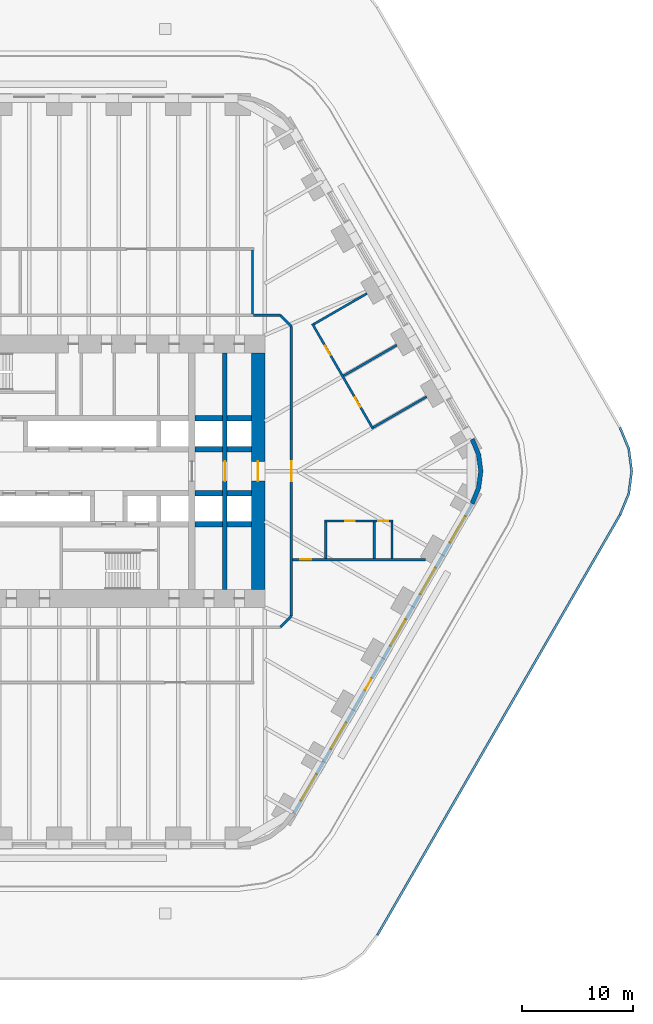
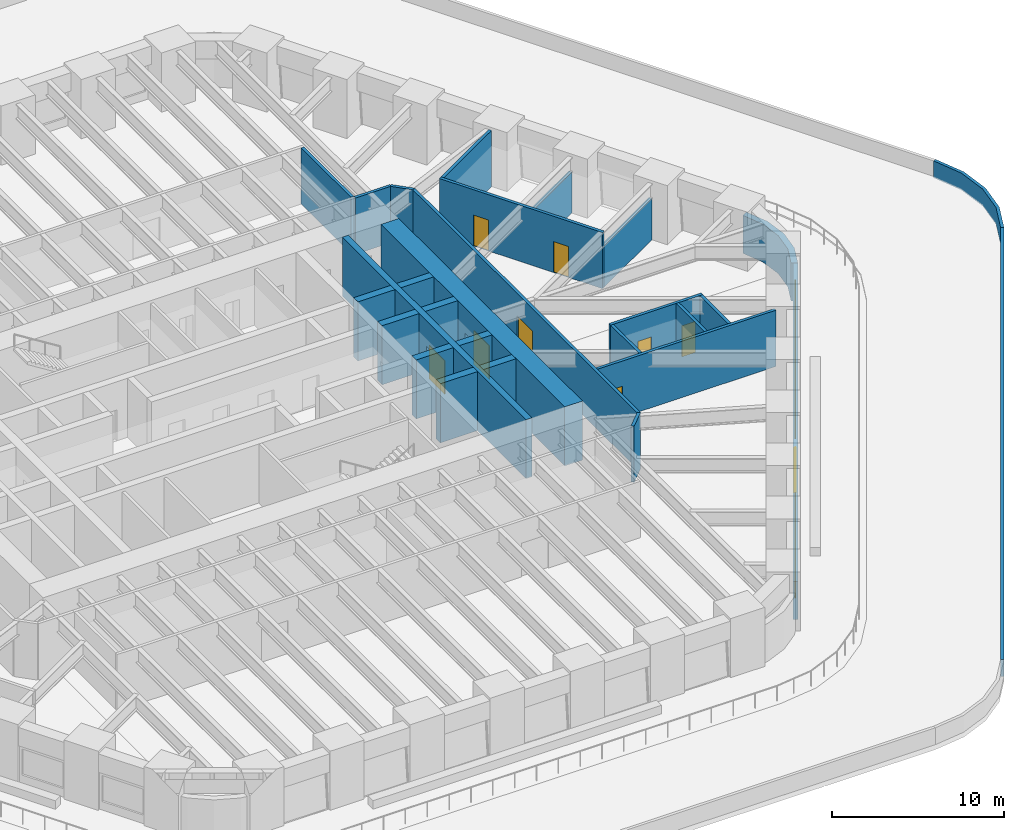
# One storey, part 12 of 17: 28 walls, 9 doors, 5 windows, 14 openings.
"""IFC4 building model written with IfcOpenShell, lengths in metres."""

from ifc_helpers import new_model, si_unit, direction, frame, frame_2d, origin, place, context, subcontext, project, spatial, polyline, rectangle, outline, extrude, material, layer, layer_set, type_object, element, fill, save


model = new_model("IFC4")

# Units and contexts
model_context = context("Model", 3, precision=1e-05, world=origin(), true_north=direction((0.0, 1.0)))
body_context = subcontext(model_context, "Body", "Model", "MODEL_VIEW")
ifc_project = project(units=[si_unit("LENGTHUNIT", "METRE"), si_unit("AREAUNIT", "SQUARE_METRE"), si_unit("VOLUMEUNIT", "CUBIC_METRE"), si_unit("PLANEANGLEUNIT", "RADIAN"), si_unit("MASSUNIT", "GRAM", prefix="KILO")], contexts=[model_context])

# Site, building, storey
site_placement = place(None, origin())
site = spatial("IfcSite", under=ifc_project, at=site_placement, CompositionType="ELEMENT")
building_placement = place(site_placement, origin())
building = spatial("IfcBuilding", under=site, at=building_placement, Name="Tarfa Lantern Tower", CompositionType="ELEMENT")
storey_placement = place(building_placement, frame((0.0, 0.0, 23.5)))
storey = spatial("IfcBuildingStorey", under=building, at=storey_placement, Name="L04", CompositionType="ELEMENT", Elevation=23.5)

# Wall, openings, door, windows
ifc_material_1 = material(Name="Limestone cladding on blockwork", Category="masonry")
ifc_layer_1 = layer(ifc_material_1, 0.300048828125)
ifc_layer_set_1 = layer_set([ifc_layer_1], Name="EW1 STONE-CLAD WALL 300")
wall_type_1 = type_object("IfcWallType", Name="EW1 STONE-CLAD WALL 300", PredefinedType="SOLIDWALL", material=ifc_layer_set_1)
wall_1_placement = place(storey_placement, frame((21.232177734375, -30.925048828125, 0.0), z_axis=(0.0, 0.0, 1.0), x_axis=(0.499999163675, 0.866025886636, 0.0)))
wall_1 = element("IfcWall", 1, at=wall_1_placement, inside=storey, type_object=wall_type_1, Name="Stone wall SE", PredefinedType="SOLIDWALL", context=body_context, shape_type="SweptSolid", body=[
    extrude(rectangle(XDim=32.33154296875, YDim=0.300048828125, at=frame_2d((16.165771484375, 0.0))), origin(), (0.0, 0.0, 1.0), 2.699951171875),
])
opening_1_placement = place(wall_1_placement, frame((1.3193359375, 0.0, 0.60009765625)))
opening_1 = element("IfcOpeningElement", 2, at=opening_1_placement, cuts=wall_1, Name="Opening W2", PredefinedType="OPENING", context=body_context, shape_type="SweptSolid", body=[
    extrude(rectangle(XDim=2.75, YDim=1.85009765625, at=frame_2d((1.375, 0.925048828125))), frame((0.0, 0.159912109375, 0.0), z_axis=(0.0, -1.0, 0.0), x_axis=(1.0, 0.0, 0.0)), (0.0, 0.0, 1.0), 0.320068359375),
])
opening_2_placement = place(wall_1_placement, frame((6.7080078125, 0.0, 0.60009765625)))
opening_2 = element("IfcOpeningElement", 3, at=opening_2_placement, cuts=wall_1, Name="Opening W2", PredefinedType="OPENING", context=body_context, shape_type="SweptSolid", body=[
    extrude(rectangle(XDim=2.75, YDim=1.85009765625, at=frame_2d((1.375, 0.925048828125))), frame((0.0, 0.159912109375, 0.0), z_axis=(0.0, -1.0, 0.0), x_axis=(1.0, 0.0, 0.0)), (0.0, 0.0, 1.0), 0.320068359375),
])
opening_3_placement = place(wall_1_placement, frame((12.87158203125, 0.0, 0.0)))
opening_3 = element("IfcOpeningElement", 4, at=opening_3_placement, cuts=wall_1, Name="Opening D45", PredefinedType="OPENING", context=body_context, shape_type="SweptSolid", body=[
    extrude(rectangle(XDim=1.199951171875, YDim=2.39990234375, at=frame_2d((0.60009765625, 1.199951171875))), frame((0.0, 0.159912109375, 0.0), z_axis=(0.0, -1.0, 0.0), x_axis=(1.0, 0.0, 0.0)), (0.0, 0.0, 1.0), 0.320068359375),
])
opening_4_placement = place(wall_1_placement, frame((17.485107421875, 0.0, 0.60009765625)))
opening_4 = element("IfcOpeningElement", 5, at=opening_4_placement, cuts=wall_1, Name="Opening W2", PredefinedType="OPENING", context=body_context, shape_type="SweptSolid", body=[
    extrude(rectangle(XDim=2.75, YDim=1.85009765625, at=frame_2d((1.375, 0.925048828125))), frame((0.0, 0.159912109375, 0.0), z_axis=(0.0, -1.0, 0.0), x_axis=(1.0, 0.0, 0.0)), (0.0, 0.0, 1.0), 0.320068359375),
])
opening_5_placement = place(wall_1_placement, frame((22.873779296875, 0.0, 0.60009765625)))
opening_5 = element("IfcOpeningElement", 6, at=opening_5_placement, cuts=wall_1, Name="Opening W2", PredefinedType="OPENING", context=body_context, shape_type="SweptSolid", body=[
    extrude(rectangle(XDim=2.75, YDim=1.85009765625, at=frame_2d((1.375, 0.925048828125))), frame((0.0, 0.159912109375, 0.0), z_axis=(0.0, -1.0, 0.0), x_axis=(1.0, 0.0, 0.0)), (0.0, 0.0, 1.0), 0.320068359375),
])
opening_6_placement = place(wall_1_placement, frame((28.26220703125, 0.0, 0.60009765625)))
opening_6 = element("IfcOpeningElement", 7, at=opening_6_placement, cuts=wall_1, Name="Opening W2", PredefinedType="OPENING", context=body_context, shape_type="SweptSolid", body=[
    extrude(rectangle(XDim=2.75, YDim=1.85009765625, at=frame_2d((1.375, 0.925048828125))), frame((0.0, 0.159912109375, 0.0), z_axis=(0.0, -1.0, 0.0), x_axis=(1.0, 0.0, 0.0)), (0.0, 0.0, 1.0), 0.320068359375),
])
ifc_material_2 = material(Name="Aluminium framed glazed door", Category="aluminium")
door_type_1 = type_object("IfcDoorType", Name="BE3 BALCONY DOOR 1200x2400", OperationType="SINGLE_SWING_RIGHT", PredefinedType="DOOR", material=ifc_material_2)
door_1_placement = place(opening_3_placement, origin())
door_1 = element("IfcDoor", 8, at=door_1_placement, inside=storey, type_object=door_type_1, Name="Balcony door SE", OperationType="SINGLE_SWING_RIGHT", OverallHeight=2.39990234375, OverallWidth=1.199951171875, PredefinedType="DOOR", context=body_context, shape_type="SweptSolid", body=[
    extrude(rectangle(XDim=1.199951171875, YDim=2.39990234375, at=frame_2d((0.60009765625, 1.199951171875))), frame((0.0, 0.02490234375, 0.0), z_axis=(0.0, -1.0, 0.0), x_axis=(1.0, 0.0, 0.0)), (0.0, 0.0, 1.0), 0.050048828125),
])
fill(opening_3, door_1)
ifc_material_3 = material(Name="Aluminium frame, double glazed", Category="aluminium")
window_type = type_object("IfcWindowType", Name="W2 FULL-HEIGHT GLAZING 2750x1850", PartitioningType="SINGLE_PANEL", PredefinedType="WINDOW", material=ifc_material_3)
window_1_placement = place(opening_1_placement, origin())
window_1 = element("IfcWindow", 9, at=window_1_placement, inside=storey, type_object=window_type, Name="Window SE 1", OverallHeight=1.85009765625, OverallWidth=2.75, PartitioningType="SINGLE_PANEL", PredefinedType="WINDOW", context=body_context, shape_type="SweptSolid", body=[
    extrude(rectangle(XDim=2.75, YDim=1.85009765625, at=frame_2d((1.375, 0.925048828125))), frame((0.0, 0.030029296875, 0.0), z_axis=(0.0, -1.0, 0.0), x_axis=(1.0, 0.0, 0.0)), (0.0, 0.0, 1.0), 0.06005859375),
])
fill(opening_1, window_1)
window_2_placement = place(opening_2_placement, origin())
window_2 = element("IfcWindow", 10, at=window_2_placement, inside=storey, type_object=window_type, Name="Window SE 2", OverallHeight=1.85009765625, OverallWidth=2.75, PartitioningType="SINGLE_PANEL", PredefinedType="WINDOW", context=body_context, shape_type="SweptSolid", body=[
    extrude(rectangle(XDim=2.75, YDim=1.85009765625, at=frame_2d((1.375, 0.925048828125))), frame((0.0, 0.030029296875, 0.0), z_axis=(0.0, -1.0, 0.0), x_axis=(1.0, 0.0, 0.0)), (0.0, 0.0, 1.0), 0.06005859375),
])
fill(opening_2, window_2)
window_3_placement = place(opening_4_placement, origin())
window_3 = element("IfcWindow", 11, at=window_3_placement, inside=storey, type_object=window_type, Name="Window SE 4", OverallHeight=1.85009765625, OverallWidth=2.75, PartitioningType="SINGLE_PANEL", PredefinedType="WINDOW", context=body_context, shape_type="SweptSolid", body=[
    extrude(rectangle(XDim=2.75, YDim=1.85009765625, at=frame_2d((1.375, 0.925048828125))), frame((0.0, 0.030029296875, 0.0), z_axis=(0.0, -1.0, 0.0), x_axis=(1.0, 0.0, 0.0)), (0.0, 0.0, 1.0), 0.06005859375),
])
fill(opening_4, window_3)
window_4_placement = place(opening_5_placement, origin())
window_4 = element("IfcWindow", 12, at=window_4_placement, inside=storey, type_object=window_type, Name="Window SE 5", OverallHeight=1.85009765625, OverallWidth=2.75, PartitioningType="SINGLE_PANEL", PredefinedType="WINDOW", context=body_context, shape_type="SweptSolid", body=[
    extrude(rectangle(XDim=2.75, YDim=1.85009765625, at=frame_2d((1.375, 0.925048828125))), frame((0.0, 0.030029296875, 0.0), z_axis=(0.0, -1.0, 0.0), x_axis=(1.0, 0.0, 0.0)), (0.0, 0.0, 1.0), 0.06005859375),
])
fill(opening_5, window_4)
window_5_placement = place(opening_6_placement, origin())
window_5 = element("IfcWindow", 13, at=window_5_placement, inside=storey, type_object=window_type, Name="Window SE 6", OverallHeight=1.85009765625, OverallWidth=2.75, PartitioningType="SINGLE_PANEL", PredefinedType="WINDOW", context=body_context, shape_type="SweptSolid", body=[
    extrude(rectangle(XDim=2.75, YDim=1.85009765625, at=frame_2d((1.375, 0.925048828125))), frame((0.0, 0.030029296875, 0.0), z_axis=(0.0, -1.0, 0.0), x_axis=(1.0, 0.0, 0.0)), (0.0, 0.0, 1.0), 0.06005859375),
])
fill(opening_6, window_5)

# Walls
ifc_layer_2 = layer(ifc_material_1, 0.39990234375)
ifc_layer_set_2 = layer_set([ifc_layer_2], Name="EW2 CURVED STONE CORNER 400")
wall_type_2 = type_object("IfcWallType", Name="EW2 CURVED STONE CORNER 400", PredefinedType="SOLIDWALL", material=ifc_layer_set_2)
wall_2_placement = place(storey_placement, origin())
element("IfcWall", 14, at=wall_2_placement, inside=storey, type_object=wall_type_2, Name="Stone corner SE-NE", PredefinedType="SOLIDWALL", context=body_context, shape_type="SweptSolid", body=[
    extrude(outline(polyline([(37.52783203125, -3.0), (38.127197265625, -1.552978515625), (38.33154296875, 0.0), (38.127197265625, 1.552978515625), (37.52783203125, 3.0), (37.181396484375, 2.800048828125), (37.74072265625, 1.449462890625), (37.931640625, 0.0), (37.74072265625, -1.449462890625), (37.181396484375, -2.800048828125), (37.52783203125, -3.0)])), origin(), (0.0, 0.0, 1.0), 2.699951171875),
])
ifc_material_4 = material(Name="Gypsum board on steel studs", Category="steel")
ifc_layer_3 = layer(ifc_material_4, 0.2099609375)
ifc_layer_set_3 = layer_set([ifc_layer_3], Name="IW2 ACOUSTIC PARTITION 200")
wall_type_3 = type_object("IfcWallType", Name="IW2 ACOUSTIC PARTITION 200", PredefinedType="PARTITIONING", material=ifc_layer_set_3)
wall_3_placement = place(storey_placement, frame((17.5, 14.199951171875, 0.0), z_axis=(0.0, 0.0, 1.0), x_axis=(0.0, 1.0, 0.0)))
element("IfcWall", 15, at=wall_3_placement, inside=storey, type_object=wall_type_3, Name="Partition", PredefinedType="PARTITIONING", context=body_context, shape_type="SweptSolid", body=[
    extrude(rectangle(XDim=5.800048828125, YDim=0.199951171875, at=frame_2d((2.89990234375, 0.0))), origin(), (0.0, 0.0, 1.0), 4.0),
])

# Wall, openings, doors
wall_4_placement = place(storey_placement, frame((28.38818359375, 3.830078125, 0.0), z_axis=(0.0, 0.0, 1.0), x_axis=(-0.499992624997, 0.866029661703, 0.0)))
wall_4 = element("IfcWall", 16, at=wall_4_placement, inside=storey, type_object=wall_type_3, Name="Partition", PredefinedType="PARTITIONING", context=body_context, shape_type="SweptSolid", body=[
    extrude(rectangle(XDim=10.977294921875, YDim=0.199951171875, at=frame_2d((5.48876953125, 0.0))), origin(), (0.0, 0.0, 1.0), 4.0),
])
opening_7_placement = place(wall_4_placement, frame((2.294189453125, 0.0, 0.0)))
opening_7 = element("IfcOpeningElement", 17, at=opening_7_placement, cuts=wall_4, Name="Opening D29", PredefinedType="OPENING", context=body_context, shape_type="SweptSolid", body=[
    extrude(rectangle(XDim=1.0, YDim=2.199951171875, at=frame_2d((0.5, 1.10009765625))), frame((0.0, 0.10986328125, 0.0), z_axis=(0.0, -1.0, 0.0), x_axis=(1.0, 0.0, 0.0)), (0.0, 0.0, 1.0), 0.219970703125),
])
opening_8_placement = place(wall_4_placement, frame((7.682861328125, 0.0, 0.0)))
opening_8 = element("IfcOpeningElement", 18, at=opening_8_placement, cuts=wall_4, Name="Opening D30", PredefinedType="OPENING", context=body_context, shape_type="SweptSolid", body=[
    extrude(rectangle(XDim=1.0, YDim=2.199951171875, at=frame_2d((0.5, 1.10009765625))), frame((0.0, 0.10986328125, 0.0), z_axis=(0.0, -1.0, 0.0), x_axis=(1.0, 0.0, 0.0)), (0.0, 0.0, 1.0), 0.219970703125),
])
ifc_material_5 = material(Name="Timber door", Category="wood")
door_type_2 = type_object("IfcDoorType", Name="DR1 ROOM DOOR 1000x2200", OperationType="SINGLE_SWING_LEFT", PredefinedType="DOOR", material=ifc_material_5)
door_2_placement = place(opening_7_placement, frame((1.0, 0.0, 0.0), z_axis=(0.0, 0.0, 1.0), x_axis=(-1.0, 0.0, 0.0)))
door_2 = element("IfcDoor", 19, at=door_2_placement, inside=storey, type_object=door_type_2, Name="Project room door", OperationType="SINGLE_SWING_LEFT", OverallHeight=2.199951171875, OverallWidth=1.0, PredefinedType="DOOR", context=body_context, shape_type="SweptSolid", body=[
    extrude(rectangle(XDim=1.0, YDim=2.199951171875, at=frame_2d((0.5, 1.10009765625))), frame((0.0, 0.02490234375, 0.0), z_axis=(0.0, -1.0, 0.0), x_axis=(1.0, 0.0, 0.0)), (0.0, 0.0, 1.0), 0.050048828125),
])
fill(opening_7, door_2)
door_3_placement = place(opening_8_placement, frame((1.0, 0.0, 0.0), z_axis=(0.0, 0.0, 1.0), x_axis=(-1.0, 0.0, 0.0)))
door_3 = element("IfcDoor", 20, at=door_3_placement, inside=storey, type_object=door_type_2, Name="Project room door", OperationType="SINGLE_SWING_RIGHT", OverallHeight=2.199951171875, OverallWidth=1.0, PredefinedType="DOOR", context=body_context, shape_type="SweptSolid", body=[
    extrude(rectangle(XDim=1.0, YDim=2.199951171875, at=frame_2d((0.5, 1.10009765625))), frame((0.0, 0.02490234375, 0.0), z_axis=(0.0, -1.0, 0.0), x_axis=(1.0, 0.0, 0.0)), (0.0, 0.0, 1.0), 0.050048828125),
])
fill(opening_8, door_3)

# Walls
wall_5_placement = place(storey_placement, frame((28.4248046875, 3.966552734375, 0.0), z_axis=(0.0, 0.0, 1.0), x_axis=(0.866011969997, 0.500023267281, 0.0)))
element("IfcWall", 21, at=wall_5_placement, inside=storey, type_object=wall_type_3, Name="Partition", PredefinedType="PARTITIONING", context=body_context, shape_type="SweptSolid", body=[
    extrude(rectangle(XDim=5.550048828125, YDim=0.199951171875, at=frame_2d((2.77490234375, 0.0))), origin(), (0.0, 0.0, 1.0), 2.944091796875),
])
wall_6_placement = place(storey_placement, frame((25.73046875, 8.63330078125, 0.0), z_axis=(0.0, 0.0, 1.0), x_axis=(0.866022967649, 0.500004219487, 0.0)))
element("IfcWall", 22, at=wall_6_placement, inside=storey, type_object=wall_type_3, Name="Partition", PredefinedType="PARTITIONING", context=body_context, shape_type="SweptSolid", body=[
    extrude(rectangle(XDim=5.55029296875, YDim=0.199951171875, at=frame_2d((2.775146484375, 0.0))), origin(), (0.0, 0.0, 1.0), 2.944091796875),
])
wall_7_placement = place(storey_placement, frame((23.036376953125, 13.300048828125, 0.0), z_axis=(0.0, 0.0, 1.0), x_axis=(0.866031018186, 0.499990275446, 0.0)))
element("IfcWall", 23, at=wall_7_placement, inside=storey, type_object=wall_type_3, Name="Partition", PredefinedType="PARTITIONING", context=body_context, shape_type="SweptSolid", body=[
    extrude(rectangle(XDim=5.5498046875, YDim=0.199951171875, at=frame_2d((2.77490234375, 0.0))), origin(), (0.0, 0.0, 1.0), 4.0),
])
wall_8_placement = place(storey_placement, frame((17.60009765625, 14.10009765625, 0.0), z_axis=(0.0, 0.0, 1.0), x_axis=(1.0, 0.0, 0.0)))
element("IfcWall", 24, at=wall_8_placement, inside=storey, type_object=wall_type_3, Name="Partition", PredefinedType="PARTITIONING", context=body_context, shape_type="SweptSolid", body=[
    extrude(rectangle(XDim=2.39990234375, YDim=0.199951171875, at=frame_2d((1.199951171875, 0.0))), origin(), (0.0, 0.0, 1.0), 4.0),
])
wall_9_placement = place(storey_placement, frame((20.0, 14.10009765625, 0.0), z_axis=(0.0, 0.0, 1.0), x_axis=(0.707106781187, -0.707106781187, 0.0)))
element("IfcWall", 25, at=wall_9_placement, inside=storey, type_object=wall_type_3, Name="Partition", PredefinedType="PARTITIONING", context=body_context, shape_type="SweptSolid", body=[
    extrude(rectangle(XDim=1.414306640625, YDim=0.199951171875, at=frame_2d((0.70703125, 0.0))), origin(), (0.0, 0.0, 1.0), 4.0),
])

# Wall, opening, door
wall_10_placement = place(storey_placement, frame((21.0, 13.10009765625, 0.0), z_axis=(0.0, 0.0, 1.0), x_axis=(0.0, -1.0, 0.0)))
wall_10 = element("IfcWall", 26, at=wall_10_placement, inside=storey, type_object=wall_type_3, Name="Partition", PredefinedType="PARTITIONING", context=body_context, shape_type="SweptSolid", body=[
    extrude(rectangle(XDim=26.2001953125, YDim=0.199951171875, at=frame_2d((13.10009765625, 0.0))), origin(), (0.0, 0.0, 1.0), 4.0),
])
opening_9_placement = place(wall_10_placement, frame((12.199951171875, 0.0, 0.0)))
opening_9 = element("IfcOpeningElement", 27, at=opening_9_placement, cuts=wall_10, Name="Opening D41", PredefinedType="OPENING", context=body_context, shape_type="SweptSolid", body=[
    extrude(rectangle(XDim=1.800048828125, YDim=2.39990234375, at=frame_2d((0.89990234375, 1.199951171875))), frame((0.0, 0.10986328125, 0.0), z_axis=(0.0, -1.0, 0.0), x_axis=(1.0, 0.0, 0.0)), (0.0, 0.0, 1.0), 0.219970703125),
])
door_type_3 = type_object("IfcDoorType", Name="DR2 ROOM DOOR 1800x2400", OperationType="DOUBLE_DOOR_SINGLE_SWING", PredefinedType="DOOR", material=ifc_material_5)
door_4_placement = place(opening_9_placement, origin())
door_4 = element("IfcDoor", 28, at=door_4_placement, inside=storey, type_object=door_type_3, Name="Corridor door", OperationType="DOUBLE_DOOR_SINGLE_SWING", OverallHeight=2.39990234375, OverallWidth=1.800048828125, PredefinedType="DOOR", context=body_context, shape_type="SweptSolid", body=[
    extrude(rectangle(XDim=1.800048828125, YDim=2.39990234375, at=frame_2d((0.89990234375, 1.199951171875))), frame((0.0, 0.02490234375, 0.0), z_axis=(0.0, -1.0, 0.0), x_axis=(1.0, 0.0, 0.0)), (0.0, 0.0, 1.0), 0.050048828125),
])
fill(opening_9, door_4)

# Wall
wall_11_placement = place(storey_placement, frame((21.0, -13.10009765625, 0.0), z_axis=(0.0, 0.0, 1.0), x_axis=(-0.707106781187, -0.707106781187, 0.0)))
element("IfcWall", 29, at=wall_11_placement, inside=storey, type_object=wall_type_3, Name="Partition", PredefinedType="PARTITIONING", context=body_context, shape_type="SweptSolid", body=[
    extrude(rectangle(XDim=1.414306640625, YDim=0.199951171875, at=frame_2d((0.70703125, 0.0))), origin(), (0.0, 0.0, 1.0), 4.0),
])

# Wall, opening, door
wall_12_placement = place(storey_placement, frame((21.10009765625, -8.0, 0.0), z_axis=(0.0, 0.0, 1.0), x_axis=(1.0, 0.0, 0.0)))
wall_12 = element("IfcWall", 30, at=wall_12_placement, inside=storey, type_object=wall_type_3, Name="Partition", PredefinedType="PARTITIONING", context=body_context, shape_type="SweptSolid", body=[
    extrude(rectangle(XDim=12.0107421875, YDim=0.199951171875, at=frame_2d((6.00537109375, 0.0))), origin(), (0.0, 0.0, 1.0), 4.0),
])
opening_10_placement = place(wall_12_placement, frame((0.701171875, 0.0, 0.0)))
opening_10 = element("IfcOpeningElement", 31, at=opening_10_placement, cuts=wall_12, Name="Opening D43", PredefinedType="OPENING", context=body_context, shape_type="SweptSolid", body=[
    extrude(rectangle(XDim=1.0, YDim=2.199951171875, at=frame_2d((0.5, 1.10009765625))), frame((0.0, 0.10986328125, 0.0), z_axis=(0.0, -1.0, 0.0), x_axis=(1.0, 0.0, 0.0)), (0.0, 0.0, 1.0), 0.219970703125),
])
door_5_placement = place(opening_10_placement, frame((1.0, 0.0, 0.0), z_axis=(0.0, 0.0, 1.0), x_axis=(-1.0, 0.0, 0.0)))
door_5 = element("IfcDoor", 32, at=door_5_placement, inside=storey, type_object=door_type_2, Name="Zone door", OperationType="SINGLE_SWING_LEFT", OverallHeight=2.199951171875, OverallWidth=1.0, PredefinedType="DOOR", context=body_context, shape_type="SweptSolid", body=[
    extrude(rectangle(XDim=1.0, YDim=2.199951171875, at=frame_2d((0.5, 1.10009765625))), frame((0.0, 0.02490234375, 0.0), z_axis=(0.0, -1.0, 0.0), x_axis=(1.0, 0.0, 0.0)), (0.0, 0.0, 1.0), 0.050048828125),
])
fill(opening_10, door_5)

# Wall, openings, doors
wall_13_placement = place(storey_placement, frame((24.00537109375, -4.5, 0.0), z_axis=(0.0, 0.0, 1.0), x_axis=(1.0, 0.0, 0.0)))
wall_13 = element("IfcWall", 33, at=wall_13_placement, inside=storey, type_object=wall_type_3, Name="Partition", PredefinedType="PARTITIONING", context=body_context, shape_type="SweptSolid", body=[
    extrude(rectangle(XDim=6.199951171875, YDim=0.199951171875, at=frame_2d((3.10009765625, 0.0))), origin(), (0.0, 0.0, 1.0), 4.0),
])
opening_11_placement = place(wall_13_placement, frame((1.85009765625, 0.0, 0.0)))
opening_11 = element("IfcOpeningElement", 34, at=opening_11_placement, cuts=wall_13, Name="Opening D39", PredefinedType="OPENING", context=body_context, shape_type="SweptSolid", body=[
    extrude(rectangle(XDim=0.89990234375, YDim=2.199951171875, at=frame_2d((0.449951171875, 1.10009765625))), frame((0.0, 0.10986328125, 0.0), z_axis=(0.0, -1.0, 0.0), x_axis=(1.0, 0.0, 0.0)), (0.0, 0.0, 1.0), 0.219970703125),
])
opening_12_placement = place(wall_13_placement, frame((4.85009765625, 0.0, 0.0)))
opening_12 = element("IfcOpeningElement", 35, at=opening_12_placement, cuts=wall_13, Name="Opening D40", PredefinedType="OPENING", context=body_context, shape_type="SweptSolid", body=[
    extrude(rectangle(XDim=0.89990234375, YDim=2.199951171875, at=frame_2d((0.449951171875, 1.10009765625))), frame((0.0, 0.10986328125, 0.0), z_axis=(0.0, -1.0, 0.0), x_axis=(1.0, 0.0, 0.0)), (0.0, 0.0, 1.0), 0.219970703125),
])
door_type_4 = type_object("IfcDoorType", Name="DR3 ROOM DOOR 900x2200", OperationType="SINGLE_SWING_LEFT", PredefinedType="DOOR", material=ifc_material_5)
door_6_placement = place(opening_11_placement, frame((0.89990234375, 0.0, 0.0), z_axis=(0.0, 0.0, 1.0), x_axis=(-1.0, 0.0, 0.0)))
door_6 = element("IfcDoor", 36, at=door_6_placement, inside=storey, type_object=door_type_4, Name="Meeting room door", OperationType="SINGLE_SWING_LEFT", OverallHeight=2.199951171875, OverallWidth=0.89990234375, PredefinedType="DOOR", context=body_context, shape_type="SweptSolid", body=[
    extrude(rectangle(XDim=0.89990234375, YDim=2.199951171875, at=frame_2d((0.449951171875, 1.10009765625))), frame((0.0, 0.02490234375, 0.0), z_axis=(0.0, -1.0, 0.0), x_axis=(1.0, 0.0, 0.0)), (0.0, 0.0, 1.0), 0.050048828125),
])
fill(opening_11, door_6)
door_7_placement = place(opening_12_placement, frame((0.89990234375, 0.0, 0.0), z_axis=(0.0, 0.0, 1.0), x_axis=(-1.0, 0.0, 0.0)))
door_7 = element("IfcDoor", 37, at=door_7_placement, inside=storey, type_object=door_type_4, Name="Phone booth door", OperationType="SINGLE_SWING_RIGHT", OverallHeight=2.199951171875, OverallWidth=0.89990234375, PredefinedType="DOOR", context=body_context, shape_type="SweptSolid", body=[
    extrude(rectangle(XDim=0.89990234375, YDim=2.199951171875, at=frame_2d((0.449951171875, 1.10009765625))), frame((0.0, 0.02490234375, 0.0), z_axis=(0.0, -1.0, 0.0), x_axis=(1.0, 0.0, 0.0)), (0.0, 0.0, 1.0), 0.050048828125),
])
fill(opening_12, door_7)

# Walls
for number, where, z_axis, x_axis, name in (
    (38, (24.10546875, -7.89990234375, 0.0), (0.0, 0.0, 1.0), (0.0, 1.0, 0.0), "Partition"),
    (39, (28.50537109375, -7.89990234375, 0.0), (0.0, 0.0, 1.0), (0.0, 1.0, 0.0), "Partition"),
    (40, (30.10546875, -7.89990234375, 0.0), (0.0, 0.0, 1.0), (0.0, 1.0, 0.0), "Partition"),
):
    element("IfcWall", number, at=place(storey_placement, frame(where, z_axis=z_axis, x_axis=x_axis)), inside=storey, type_object=wall_type_3, Name=name, PredefinedType="PARTITIONING", context=body_context, shape_type="SweptSolid", body=[
        extrude(rectangle(XDim=3.2998046875, YDim=0.199951171875, at=frame_2d((1.64990234375, 0.0))), origin(), (0.0, 0.0, 1.0), 4.0),
    ])
ifc_layer_4 = layer(ifc_material_1, 0.199951171875)
ifc_layer_set_4 = layer_set([ifc_layer_4], Name="PP1 STONE PARAPET 200")
wall_type_4 = type_object("IfcWallType", Name="PP1 STONE PARAPET 200", PredefinedType="PARAPET", material=ifc_layer_set_4)
wall_14_placement = place(storey_placement, frame((28.781005859375, -41.949951171875, 0.0), z_axis=(0.0, 0.0, 1.0), x_axis=(0.499998269459, 0.86602640291, 0.0)))
element("IfcWall", 41, at=wall_14_placement, inside=storey, type_object=wall_type_4, Name="Green roof parapet SE", PredefinedType="PARAPET", context=body_context, shape_type="SweptSolid", body=[
    extrude(rectangle(XDim=43.878662109375, YDim=0.199951171875, at=frame_2d((21.939453125, 0.0))), origin(), (0.0, 0.0, 1.0), 1.199951171875),
])
wall_15_placement = place(storey_placement, origin())
element("IfcWall", 42, at=wall_15_placement, inside=storey, type_object=wall_type_4, Name="Green roof parapet corner SE-NE", PredefinedType="PARAPET", context=body_context, shape_type="SweptSolid", body=[
    extrude(outline(polyline([(50.806884765625, -4.0), (51.60595703125, -2.070556640625), (51.878662109375, 0.0), (51.60595703125, 2.070556640625), (50.806884765625, 4.0), (50.633544921875, 3.89990234375), (51.412841796875, 2.018798828125), (51.6787109375, 0.0), (51.412841796875, -2.018798828125), (50.633544921875, -3.89990234375), (50.806884765625, -4.0)])), origin(), (0.0, 0.0, 1.0), 1.199951171875),
])

# Wall, opening, door
ifc_material_6 = material(Name="Concrete C80/95", Category="concrete")
ifc_layer_5 = layer(ifc_material_6, 1.199951171875)
ifc_layer_set_5 = layer_set([ifc_layer_5], Name="SW1 CORE WALL 1200")
wall_type_5 = type_object("IfcWallType", Name="SW1 CORE WALL 1200", PredefinedType="SHEAR", material=ifc_layer_set_5)
wall_16_placement = place(storey_placement, frame((18.0, -10.699951171875, 0.0), z_axis=(0.0, 0.0, 1.0), x_axis=(0.0, 1.0, 0.0)))
wall_16 = element("IfcWall", 43, at=wall_16_placement, inside=storey, type_object=wall_type_5, Name="Core wall E", PredefinedType="SHEAR", context=body_context, shape_type="SweptSolid", body=[
    extrude(rectangle(XDim=21.39990234375, YDim=1.199951171875, at=frame_2d((10.699951171875, 0.0))), origin(), (0.0, 0.0, 1.0), 4.199951171875),
])
opening_13_placement = place(wall_16_placement, frame((9.800048828125, 0.0, 0.0)))
opening_13 = element("IfcOpeningElement", 44, at=opening_13_placement, cuts=wall_16, Name="Opening D15", PredefinedType="OPENING", context=body_context, shape_type="SweptSolid", body=[
    extrude(rectangle(XDim=1.800048828125, YDim=2.39990234375, at=frame_2d((0.89990234375, 1.199951171875))), frame((0.0, 0.60986328125, 0.0), z_axis=(0.0, -1.0, 0.0), x_axis=(1.0, 0.0, 0.0)), (0.0, 0.0, 1.0), 1.219970703125),
])
ifc_material_7 = material(Name="Steel fire door", Category="steel")
door_type_5 = type_object("IfcDoorType", Name="DL1 LOBBY DOOR 1800x2400", OperationType="DOUBLE_DOOR_SINGLE_SWING", PredefinedType="DOOR", material=ifc_material_7)
door_8_placement = place(opening_13_placement, frame((1.800048828125, 0.0, 0.0), z_axis=(0.0, 0.0, 1.0), x_axis=(-1.0, 0.0, 0.0)))
door_8 = element("IfcDoor", 45, at=door_8_placement, inside=storey, type_object=door_type_5, Name="Lift lobby door", OperationType="DOUBLE_DOOR_SINGLE_SWING", OverallHeight=2.39990234375, OverallWidth=1.800048828125, PredefinedType="DOOR", context=body_context, shape_type="SweptSolid", body=[
    extrude(rectangle(XDim=1.800048828125, YDim=2.39990234375, at=frame_2d((0.89990234375, 1.199951171875))), frame((0.0, 0.02490234375, 0.0), z_axis=(0.0, -1.0, 0.0), x_axis=(1.0, 0.0, 0.0)), (0.0, 0.0, 1.0), 0.050048828125),
])
fill(opening_13, door_8)

# Walls
ifc_layer_6 = layer(ifc_material_6, 0.5)
ifc_layer_set_6 = layer_set([ifc_layer_6], Name="SW5 CORE WALL 500")
wall_type_6 = type_object("IfcWallType", Name="SW5 CORE WALL 500", PredefinedType="SHEAR", material=ifc_layer_set_6)
wall_17_placement = place(storey_placement, frame((12.300048828125, 2.0, 0.0), z_axis=(0.0, 0.0, 1.0), x_axis=(1.0, 0.0, 0.0)))
element("IfcWall", 46, at=wall_17_placement, inside=storey, type_object=wall_type_6, Name="Core wall lobby east N", PredefinedType="SHEAR", context=body_context, shape_type="SweptSolid", body=[
    extrude(rectangle(XDim=2.5, YDim=0.5, at=frame_2d((1.25, 0.0))), origin(), (0.0, 0.0, 1.0), 4.199951171875),
])
wall_18_placement = place(storey_placement, frame((15.199951171875, 2.0, 0.0), z_axis=(0.0, 0.0, 1.0), x_axis=(1.0, 0.0, 0.0)))
element("IfcWall", 47, at=wall_18_placement, inside=storey, type_object=wall_type_6, Name="Core wall lobby east N", PredefinedType="SHEAR", context=body_context, shape_type="SweptSolid", body=[
    extrude(rectangle(XDim=2.199951171875, YDim=0.5, at=frame_2d((1.10009765625, 0.0))), origin(), (0.0, 0.0, 1.0), 4.199951171875),
])
wall_19_placement = place(storey_placement, frame((12.300048828125, 4.800048828125, 0.0), z_axis=(0.0, 0.0, 1.0), x_axis=(1.0, 0.0, 0.0)))
element("IfcWall", 48, at=wall_19_placement, inside=storey, type_object=wall_type_6, Name="Core wall rear N", PredefinedType="SHEAR", context=body_context, shape_type="SweptSolid", body=[
    extrude(rectangle(XDim=2.5, YDim=0.5, at=frame_2d((1.25, 0.0))), origin(), (0.0, 0.0, 1.0), 4.199951171875),
])
for number, where, z_axis, x_axis, name in (
    (49, (15.199951171875, 4.800048828125, 0.0), (0.0, 0.0, 1.0), (1.0, 0.0, 0.0), "Core wall rear N"),
    (50, (17.39990234375, -2.0, 0.0), (0.0, 0.0, 1.0), (-1.0, 0.0, 0.0), "Core wall lobby west S"),
):
    element("IfcWall", number, at=place(storey_placement, frame(where, z_axis=z_axis, x_axis=x_axis)), inside=storey, type_object=wall_type_6, Name=name, PredefinedType="SHEAR", context=body_context, shape_type="SweptSolid", body=[
        extrude(rectangle(XDim=2.199951171875, YDim=0.5, at=frame_2d((1.10009765625, 0.0))), origin(), (0.0, 0.0, 1.0), 4.199951171875),
    ])
wall_20_placement = place(storey_placement, frame((14.800048828125, -2.0, 0.0), z_axis=(0.0, 0.0, 1.0), x_axis=(-1.0, 0.0, 0.0)))
element("IfcWall", 51, at=wall_20_placement, inside=storey, type_object=wall_type_6, Name="Core wall lobby west S", PredefinedType="SHEAR", context=body_context, shape_type="SweptSolid", body=[
    extrude(rectangle(XDim=2.5, YDim=0.5, at=frame_2d((1.25, 0.0))), origin(), (0.0, 0.0, 1.0), 4.199951171875),
])
wall_21_placement = place(storey_placement, frame((17.39990234375, -4.800048828125, 0.0), z_axis=(0.0, 0.0, 1.0), x_axis=(-1.0, 0.0, 0.0)))
element("IfcWall", 52, at=wall_21_placement, inside=storey, type_object=wall_type_6, Name="Core wall rear S", PredefinedType="SHEAR", context=body_context, shape_type="SweptSolid", body=[
    extrude(rectangle(XDim=2.199951171875, YDim=0.5, at=frame_2d((1.10009765625, 0.0))), origin(), (0.0, 0.0, 1.0), 4.199951171875),
])
wall_22_placement = place(storey_placement, frame((14.800048828125, -4.800048828125, 0.0), z_axis=(0.0, 0.0, 1.0), x_axis=(-1.0, 0.0, 0.0)))
element("IfcWall", 53, at=wall_22_placement, inside=storey, type_object=wall_type_6, Name="Core wall rear S", PredefinedType="SHEAR", context=body_context, shape_type="SweptSolid", body=[
    extrude(rectangle(XDim=2.5, YDim=0.5, at=frame_2d((1.25, 0.0))), origin(), (0.0, 0.0, 1.0), 4.199951171875),
])

# Wall, opening, door
ifc_layer_7 = layer(ifc_material_6, 0.39990234375)
ifc_layer_set_7 = layer_set([ifc_layer_7], Name="SW6 CORE WALL 400")
wall_type_7 = type_object("IfcWallType", Name="SW6 CORE WALL 400", PredefinedType="SHEAR", material=ifc_layer_set_7)
wall_23_placement = place(storey_placement, frame((15.0, -10.699951171875, 0.0), z_axis=(0.0, 0.0, 1.0), x_axis=(0.0, 1.0, 0.0)))
wall_23 = element("IfcWall", 54, at=wall_23_placement, inside=storey, type_object=wall_type_7, Name="Core wall cross 15 m east", PredefinedType="SHEAR", context=body_context, shape_type="SweptSolid", body=[
    extrude(rectangle(XDim=21.39990234375, YDim=0.39990234375, at=frame_2d((10.699951171875, 0.0))), origin(), (0.0, 0.0, 1.0), 4.199951171875),
])
opening_14_placement = place(wall_23_placement, frame((9.800048828125, 0.0, 0.0)))
opening_14 = element("IfcOpeningElement", 55, at=opening_14_placement, cuts=wall_23, Name="Opening D26", PredefinedType="OPENING", context=body_context, shape_type="SweptSolid", body=[
    extrude(rectangle(XDim=1.800048828125, YDim=2.39990234375, at=frame_2d((0.89990234375, 1.199951171875))), frame((0.0, 0.2099609375, 0.0), z_axis=(0.0, -1.0, 0.0), x_axis=(1.0, 0.0, 0.0)), (0.0, 0.0, 1.0), 0.419921875),
])
door_9_placement = place(opening_14_placement, origin())
door_9 = element("IfcDoor", 56, at=door_9_placement, inside=storey, type_object=door_type_5, Name="Lift lobby door", OperationType="DOUBLE_DOOR_SINGLE_SWING", OverallHeight=2.39990234375, OverallWidth=1.800048828125, PredefinedType="DOOR", context=body_context, shape_type="SweptSolid", body=[
    extrude(rectangle(XDim=1.800048828125, YDim=2.39990234375, at=frame_2d((0.89990234375, 1.199951171875))), frame((0.0, 0.02490234375, 0.0), z_axis=(0.0, -1.0, 0.0), x_axis=(1.0, 0.0, 0.0)), (0.0, 0.0, 1.0), 0.050048828125),
])
fill(opening_14, door_9)

save(model, "model.ifc")
